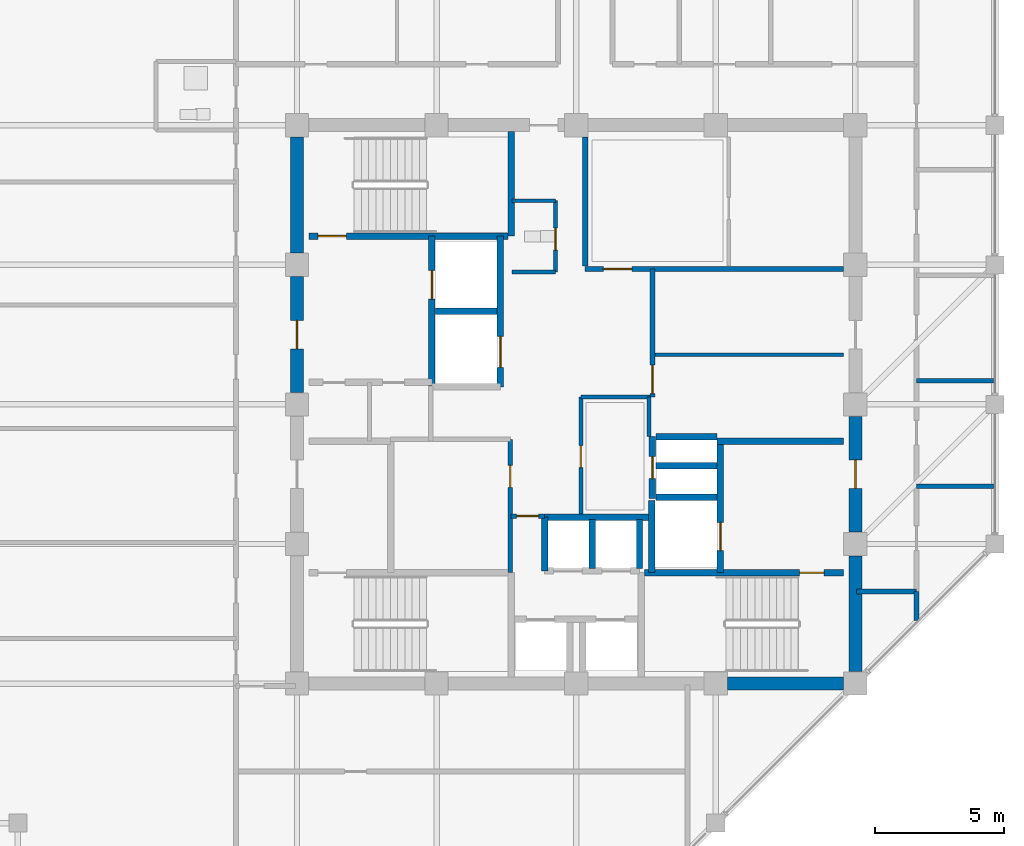
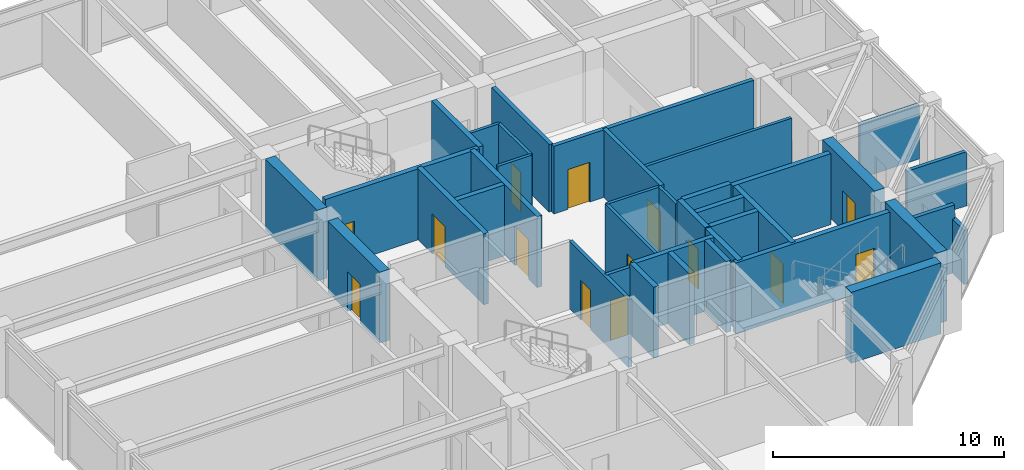
# One storey, part 27 of 31: 38 walls, 14 doors, 14 openings.
"""IFC4 building model written with IfcOpenShell, lengths in metres."""

from ifc_helpers import new_model, si_unit, direction, frame, frame_2d, origin, place, context, subcontext, project, spatial, rectangle, extrude, material, layer, layer_set, type_object, element, fill, save


model = new_model("IFC4")

# Units and contexts
model_context = context("Model", 3, precision=1e-05, world=origin(), true_north=direction((0.0, 1.0)))
body_context = subcontext(model_context, "Body", "Model", "MODEL_VIEW")
ifc_project = project(units=[si_unit("LENGTHUNIT", "METRE"), si_unit("AREAUNIT", "SQUARE_METRE"), si_unit("VOLUMEUNIT", "CUBIC_METRE"), si_unit("PLANEANGLEUNIT", "RADIAN"), si_unit("MASSUNIT", "GRAM", prefix="KILO")], contexts=[model_context])

# Site, building, storey
site_placement = place(None, origin())
site = spatial("IfcSite", under=ifc_project, at=site_placement, CompositionType="ELEMENT")
building_placement = place(site_placement, origin())
building = spatial("IfcBuilding", under=site, at=building_placement, Name="Surkhivell Harbour Commons", CompositionType="ELEMENT")
storey_placement = place(building_placement, frame((0.0, 0.0, 330.0)))
storey = spatial("IfcBuildingStorey", under=building, at=storey_placement, Name="L86", CompositionType="ELEMENT", Elevation=330.0)

# Wall
ifc_material_1 = material(Name="Concrete C50/60", Category="concrete")
ifc_layer_1 = layer(ifc_material_1, 0.5)
ifc_layer_set_1 = layer_set([ifc_layer_1], Name="Concrete C50/60")
wall_type_1 = type_object("IfcWallType", Name="WAL-CORE-500", PredefinedType="SHEAR", material=ifc_layer_set_1)
wall_1_placement = place(storey_placement, frame((10.800048828125, -10.340087890625, 0.0), z_axis=(0.0, 0.0, 1.0), x_axis=(0.0, 1.0, 0.0)))
element("IfcWall", 1, at=wall_1_placement, inside=storey, type_object=wall_type_1, Name="L86 Core Shear Wall East 1", PredefinedType="SHEAR", context=body_context, shape_type="SweptSolid", body=[
    extrude(rectangle(XDim=4.47998046875, YDim=0.5, at=frame_2d((2.239990234375, 0.0))), origin(), (0.0, 0.0, 1.0), 3.75),
])

# Wall, opening, door
wall_2_placement = place(storey_placement, frame((10.800048828125, -4.93994140625, 0.0), z_axis=(0.0, 0.0, 1.0), x_axis=(0.0, 1.0, 0.0)))
wall_2 = element("IfcWall", 2, at=wall_2_placement, inside=storey, type_object=wall_type_1, Name="L86 Core Shear Wall East 2", PredefinedType="SHEAR", context=body_context, shape_type="SweptSolid", body=[
    extrude(rectangle(XDim=4.47998046875, YDim=0.5, at=frame_2d((2.239990234375, 0.0))), origin(), (0.0, 0.0, 1.0), 3.75),
])
opening_1_placement = place(wall_2_placement, frame((1.68994140625, 0.0, 0.0)))
opening_1 = element("IfcOpeningElement", 3, at=opening_1_placement, cuts=wall_2, Name="Opening ID-1", PredefinedType="OPENING", context=body_context, shape_type="SweptSolid", body=[
    extrude(rectangle(XDim=1.10009765625, YDim=2.10009765625, at=frame_2d((0.550048828125, 1.050048828125))), frame((0.0, 0.260009765625, 0.0), z_axis=(0.0, -1.0, 0.0), x_axis=(1.0, 0.0, 0.0)), (0.0, 0.0, 1.0), 0.52001953125),
])
ifc_material_2 = material(Name="Hardwood-veneered fire-rated door leaf", Category="wood")
door_type_1 = type_object("IfcDoorType", Name="DOR-FD120-1100", OperationType="NOTDEFINED", PredefinedType="DOOR", material=ifc_material_2)
door_1_placement = place(opening_1_placement, origin())
door_1 = element("IfcDoor", 4, at=door_1_placement, inside=storey, type_object=door_type_1, Name="L86 Firefighting Lobby 2 Corridor Door", OperationType="SINGLE_SWING_RIGHT", OverallHeight=2.10009765625, OverallWidth=1.10009765625, PredefinedType="DOOR", context=body_context, shape_type="SweptSolid", body=[
    extrude(rectangle(XDim=1.10009765625, YDim=2.10009765625, at=frame_2d((0.550048828125, 1.050048828125))), frame((0.0, 0.02490234375, 0.0), z_axis=(0.0, -1.0, 0.0), x_axis=(1.0, 0.0, 0.0)), (0.0, 0.0, 1.0), 0.050048828125),
])
fill(opening_1, door_1)

wall_3_placement = place(storey_placement, frame((-10.800048828125, 0.4599609375, 0.0), z_axis=(0.0, 0.0, 1.0), x_axis=(0.0, 1.0, 0.0)))
wall_3 = element("IfcWall", 5, at=wall_3_placement, inside=storey, type_object=wall_type_1, Name="L86 Core Shear Wall West 3", PredefinedType="SHEAR", context=body_context, shape_type="SweptSolid", body=[
    extrude(rectangle(XDim=4.47998046875, YDim=0.5, at=frame_2d((2.239990234375, 0.0))), origin(), (0.0, 0.0, 1.0), 3.75),
])
opening_2_placement = place(wall_3_placement, frame((1.68994140625, 0.0, 0.0)))
opening_2 = element("IfcOpeningElement", 6, at=opening_2_placement, cuts=wall_3, Name="Opening ID-1", PredefinedType="OPENING", context=body_context, shape_type="SweptSolid", body=[
    extrude(rectangle(XDim=1.10009765625, YDim=2.10009765625, at=frame_2d((0.550048828125, 1.050048828125))), frame((0.0, 0.260009765625, 0.0), z_axis=(0.0, -1.0, 0.0), x_axis=(1.0, 0.0, 0.0)), (0.0, 0.0, 1.0), 0.52001953125),
])
door_2_placement = place(opening_2_placement, origin())
door_2 = element("IfcDoor", 7, at=door_2_placement, inside=storey, type_object=door_type_1, Name="L86 Firefighting Lobby 1 Corridor Door", OperationType="SINGLE_SWING_LEFT", OverallHeight=2.10009765625, OverallWidth=1.10009765625, PredefinedType="DOOR", context=body_context, shape_type="SweptSolid", body=[
    extrude(rectangle(XDim=1.10009765625, YDim=2.10009765625, at=frame_2d((0.550048828125, 1.050048828125))), frame((0.0, 0.02490234375, 0.0), z_axis=(0.0, -1.0, 0.0), x_axis=(1.0, 0.0, 0.0)), (0.0, 0.0, 1.0), 0.050048828125),
])
fill(opening_2, door_2)

# Walls
for number, where, z_axis, x_axis, name in (
    (8, (5.860107421875, -10.800048828125, 0.0), (0.0, 0.0, 1.0), (1.0, 0.0, 0.0), "L86 Core Shear Wall South 4"),
    (9, (-10.800048828125, 5.860107421875, 0.0), (0.0, 0.0, 1.0), (0.0, 1.0, 0.0), "L86 Core Shear Wall West 4"),
):
    element("IfcWall", number, at=place(storey_placement, frame(where, z_axis=z_axis, x_axis=x_axis)), inside=storey, type_object=wall_type_1, Name=name, PredefinedType="SHEAR", context=body_context, shape_type="SweptSolid", body=[
        extrude(rectangle(XDim=4.47998046875, YDim=0.5, at=frame_2d((2.239990234375, 0.0))), origin(), (0.0, 0.0, 1.0), 3.75),
    ])

# Wall, opening, door
ifc_material_3 = material(Name="Twin-stud acoustic fireboard partition", Category="other")
ifc_layer_2 = layer(ifc_material_3, 0.14990234375)
ifc_layer_set_2 = layer_set([ifc_layer_2], Name="Twin-stud acoustic fireboard partition")
wall_type_2 = type_object("IfcWallType", Name="WAL-INT-150", PredefinedType="PARTITIONING", material=ifc_layer_set_2)
wall_4_placement = place(storey_placement, frame((-0.800048828125, 5.1201171875, 0.0), z_axis=(0.0, 0.0, 1.0), x_axis=(0.0, 1.0, 0.0)))
wall_4 = element("IfcWall", 10, at=wall_4_placement, inside=storey, type_object=wall_type_2, Name="L86 Core Accessible WC East Wall", PredefinedType="PARTITIONING", context=body_context, shape_type="SweptSolid", body=[
    extrude(rectangle(XDim=2.759765625, YDim=0.14990234375, at=frame_2d((1.3798828125, 0.0))), origin(), (0.0, 0.0, 1.0), 3.570068359375),
])
opening_3_placement = place(wall_4_placement, frame((0.85009765625, 0.0, 0.0)))
opening_3 = element("IfcOpeningElement", 11, at=opening_3_placement, cuts=wall_4, Name="Opening ID-6", PredefinedType="OPENING", context=body_context, shape_type="SweptSolid", body=[
    extrude(rectangle(XDim=0.85009765625, YDim=2.10009765625, at=frame_2d((0.425048828125, 1.050048828125))), frame((0.0, 0.0849609375, 0.0), z_axis=(0.0, -1.0, 0.0), x_axis=(1.0, 0.0, 0.0)), (0.0, 0.0, 1.0), 0.169921875),
])
door_type_2 = type_object("IfcDoorType", Name="DOR-FD30-850", OperationType="NOTDEFINED", PredefinedType="DOOR", material=ifc_material_2)
door_3_placement = place(opening_3_placement, origin())
door_3 = element("IfcDoor", 12, at=door_3_placement, inside=storey, type_object=door_type_2, Name="L86 Floor Accessible WC Door", OperationType="SINGLE_SWING_LEFT", OverallHeight=2.10009765625, OverallWidth=0.85009765625, PredefinedType="DOOR", context=body_context, shape_type="SweptSolid", body=[
    extrude(rectangle(XDim=0.85009765625, YDim=2.10009765625, at=frame_2d((0.425048828125, 1.050048828125))), frame((0.0, 0.02490234375, 0.0), z_axis=(0.0, -1.0, 0.0), x_axis=(1.0, 0.0, 0.0)), (0.0, 0.0, 1.0), 0.050048828125),
])
fill(opening_3, door_3)

# Walls
for number, where, z_axis, x_axis, name in (
    (13, (-2.47998046875, 7.8798828125, 0.0), (0.0, 0.0, 1.0), (1.0, 0.0, 0.0), "L86 Core Accessible WC North Wall"),
    (14, (-2.47998046875, 5.1201171875, 0.0), (0.0, 0.0, 1.0), (1.0, 0.0, 0.0), "L86 Core Accessible WC South Wall"),
):
    element("IfcWall", number, at=place(storey_placement, frame(where, z_axis=z_axis, x_axis=x_axis)), inside=storey, type_object=wall_type_2, Name=name, PredefinedType="PARTITIONING", context=body_context, shape_type="SweptSolid", body=[
        extrude(rectangle(XDim=1.679931640625, YDim=0.14990234375, at=frame_2d((0.83984375, 0.0))), origin(), (0.0, 0.0, 1.0), 3.570068359375),
    ])
wall_5_placement = place(storey_placement, frame((2.820068359375, -1.25, 0.0), z_axis=(0.0, 0.0, 1.0), x_axis=(0.0, 1.0, 0.0)))
element("IfcWall", 15, at=wall_5_placement, inside=storey, type_object=wall_type_2, Name="L86 Central Music East Wall", PredefinedType="PARTITIONING", context=body_context, shape_type="SweptSolid", body=[
    extrude(rectangle(XDim=1.530029296875, YDim=0.14990234375, at=frame_2d((0.76513671875, 0.0))), origin(), (0.0, 0.0, 1.0), 3.570068359375),
])
wall_6_placement = place(storey_placement, frame((0.179931640625, 0.280029296875, 0.0), z_axis=(0.0, 0.0, 1.0), x_axis=(1.0, 0.0, 0.0)))
element("IfcWall", 16, at=wall_6_placement, inside=storey, type_object=wall_type_2, Name="L86 Central Music North Wall", PredefinedType="PARTITIONING", context=body_context, shape_type="SweptSolid", body=[
    extrude(rectangle(XDim=2.670166015625, YDim=0.14990234375, at=frame_2d((1.3349609375, 0.0))), origin(), (0.0, 0.0, 1.0), 3.570068359375),
])

# Wall, opening, door
wall_7_placement = place(storey_placement, frame((0.179931640625, -4.25, 0.0), z_axis=(0.0, 0.0, 1.0), x_axis=(0.0, 1.0, 0.0)))
wall_7 = element("IfcWall", 17, at=wall_7_placement, inside=storey, type_object=wall_type_2, Name="L86 Central Music West Wall", PredefinedType="PARTITIONING", context=body_context, shape_type="SweptSolid", body=[
    extrude(rectangle(XDim=4.530029296875, YDim=0.14990234375, at=frame_2d((2.26513671875, 0.0))), origin(), (0.0, 0.0, 1.0), 3.570068359375),
])
opening_4_placement = place(wall_7_placement, frame((1.800048828125, 0.0, 0.0)))
opening_4 = element("IfcOpeningElement", 18, at=opening_4_placement, cuts=wall_7, Name="Opening ID-6", PredefinedType="OPENING", context=body_context, shape_type="SweptSolid", body=[
    extrude(rectangle(XDim=0.85009765625, YDim=2.10009765625, at=frame_2d((0.425048828125, 1.050048828125))), frame((0.0, 0.0849609375, 0.0), z_axis=(0.0, -1.0, 0.0), x_axis=(1.0, 0.0, 0.0)), (0.0, 0.0, 1.0), 0.169921875),
])
door_4_placement = place(opening_4_placement, origin())
door_4 = element("IfcDoor", 19, at=door_4_placement, inside=storey, type_object=door_type_2, Name="L86 Central Music Door", OperationType="SINGLE_SWING_RIGHT", OverallHeight=2.10009765625, OverallWidth=0.85009765625, PredefinedType="DOOR", context=body_context, shape_type="SweptSolid", body=[
    extrude(rectangle(XDim=0.85009765625, YDim=2.10009765625, at=frame_2d((0.425048828125, 1.050048828125))), frame((0.0, 0.02490234375, 0.0), z_axis=(0.0, -1.0, 0.0), x_axis=(1.0, 0.0, 0.0)), (0.0, 0.0, 1.0), 0.050048828125),
])
fill(opening_4, door_4)

# Wall
wall_8_placement = place(storey_placement, frame((2.949951171875, 1.919921875, 0.0), z_axis=(0.0, 0.0, 1.0), x_axis=(1.0, 0.0, 0.0)))
element("IfcWall", 20, at=wall_8_placement, inside=storey, type_object=wall_type_2, Name="L86 Quiet Study Wall", PredefinedType="PARTITIONING", context=body_context, shape_type="SweptSolid", body=[
    extrude(rectangle(XDim=7.39013671875, YDim=0.14990234375, at=frame_2d((3.695068359375, 0.0))), origin(), (0.0, 0.0, 1.0), 3.570068359375),
])

# Wall, opening, door
ifc_material_4 = material(Name="High-density acoustic blockwork fire partition", Category="masonry")
ifc_layer_3 = layer(ifc_material_4, 0.175048828125)
ifc_layer_set_3 = layer_set([ifc_layer_3], Name="High-density acoustic blockwork fire partition")
wall_type_3 = type_object("IfcWallType", Name="WAL-INT-175", PredefinedType="PARTITIONING", material=ifc_layer_set_3)
wall_9_placement = place(storey_placement, frame((-2.550048828125, -6.510009765625, 0.0), z_axis=(0.0, 0.0, 1.0), x_axis=(0.0, 1.0, 0.0)))
wall_9 = element("IfcWall", 21, at=wall_9_placement, inside=storey, type_object=wall_type_3, Name="L86 Core Service Bay East Wall", PredefinedType="PARTITIONING", context=body_context, shape_type="SweptSolid", body=[
    extrude(rectangle(XDim=5.159912109375, YDim=0.175048828125, at=frame_2d((2.580078125, 0.0))), origin(), (0.0, 0.0, 1.0), 3.570068359375),
])
opening_5_placement = place(wall_9_placement, frame((3.300048828125, 0.0, 0.0)))
opening_5 = element("IfcOpeningElement", 22, at=opening_5_placement, cuts=wall_9, Name="Opening ID-6", PredefinedType="OPENING", context=body_context, shape_type="SweptSolid", body=[
    extrude(rectangle(XDim=0.85009765625, YDim=2.10009765625, at=frame_2d((0.425048828125, 1.050048828125))), frame((0.0, 0.097412109375, 0.0), z_axis=(0.0, -1.0, 0.0), x_axis=(1.0, 0.0, 0.0)), (0.0, 0.0, 1.0), 0.195068359375),
])
door_5_placement = place(opening_5_placement, origin())
door_5 = element("IfcDoor", 23, at=door_5_placement, inside=storey, type_object=door_type_2, Name="L86 Core Quiet Reading Door", OperationType="SINGLE_SWING_RIGHT", OverallHeight=2.10009765625, OverallWidth=0.85009765625, PredefinedType="DOOR", context=body_context, shape_type="SweptSolid", body=[
    extrude(rectangle(XDim=0.85009765625, YDim=2.10009765625, at=frame_2d((0.425048828125, 1.050048828125))), frame((0.0, 0.02490234375, 0.0), z_axis=(0.0, -1.0, 0.0), x_axis=(1.0, 0.0, 0.0)), (0.0, 0.0, 1.0), 0.050048828125),
])
fill(opening_5, door_5)

wall_10_placement = place(storey_placement, frame((-2.52001953125, -4.320068359375, 0.0), z_axis=(0.0, 0.0, 1.0), x_axis=(1.0, 0.0, 0.0)))
wall_10 = element("IfcWall", 24, at=wall_10_placement, inside=storey, type_object=wall_type_3, Name="L86 High-Rise Lobby North Portal Wall", PredefinedType="PARTITIONING", context=body_context, shape_type="SweptSolid", body=[
    extrude(rectangle(XDim=1.300048828125, YDim=0.175048828125, at=frame_2d((0.64990234375, 0.0))), origin(), (0.0, 0.0, 1.0), 3.570068359375),
])
opening_6_placement = place(wall_10_placement, frame((0.219970703125, 0.0, 0.0)))
opening_6 = element("IfcOpeningElement", 25, at=opening_6_placement, cuts=wall_10, Name="Opening ID-6", PredefinedType="OPENING", context=body_context, shape_type="SweptSolid", body=[
    extrude(rectangle(XDim=0.85009765625, YDim=2.10009765625, at=frame_2d((0.425048828125, 1.050048828125))), frame((0.0, 0.097412109375, 0.0), z_axis=(0.0, -1.0, 0.0), x_axis=(1.0, 0.0, 0.0)), (0.0, 0.0, 1.0), 0.195068359375),
])
door_6_placement = place(opening_6_placement, origin())
door_6 = element("IfcDoor", 26, at=door_6_placement, inside=storey, type_object=door_type_2, Name="L86 High-Rise Lift Lobby North Door", OperationType="SINGLE_SWING_LEFT", OverallHeight=2.10009765625, OverallWidth=0.85009765625, PredefinedType="DOOR", context=body_context, shape_type="SweptSolid", body=[
    extrude(rectangle(XDim=0.85009765625, YDim=2.10009765625, at=frame_2d((0.425048828125, 1.050048828125))), frame((0.0, 0.02490234375, 0.0), z_axis=(0.0, -1.0, 0.0), x_axis=(1.0, 0.0, 0.0)), (0.0, 0.0, 1.0), 0.050048828125),
])
fill(opening_6, door_6)

# Walls
for number, where, z_axis, x_axis, name in (
    (27, (13.159912109375, -3.159912109375, 0.0), (0.0, 0.0, 1.0), (1.0, 0.0, 0.0), "L86 East Partition P1"),
    (28, (13.159912109375, 0.919921875, 0.0), (0.0, 0.0, 1.0), (1.0, 0.0, 0.0), "L86 East Partition P2"),
):
    element("IfcWall", number, at=place(storey_placement, frame(where, z_axis=z_axis, x_axis=x_axis)), inside=storey, type_object=wall_type_3, Name=name, PredefinedType="PARTITIONING", context=body_context, shape_type="SweptSolid", body=[
        extrude(rectangle(XDim=2.97998046875, YDim=0.175048828125, at=frame_2d((1.489990234375, 0.0))), origin(), (0.0, 0.0, 1.0), 2.85693359375),
    ])

# Wall, opening, door
ifc_material_5 = material(Name="Autoclaved aerated concrete blockwork and fire plaster", Category="masonry")
ifc_layer_4 = layer(ifc_material_5, 0.199951171875)
ifc_layer_set_4 = layer_set([ifc_layer_4], Name="Autoclaved aerated concrete blockwork and fire plaster")
wall_type_4 = type_object("IfcWallType", Name="WAL-INT-200", PredefinedType="PARTITIONING", material=ifc_layer_set_4)
wall_11_placement = place(storey_placement, frame((0.35009765625, 5.239990234375, 0.0), z_axis=(0.0, 0.0, 1.0), x_axis=(1.0, 0.0, 0.0)))
wall_11 = element("IfcWall", 29, at=wall_11_placement, inside=storey, type_object=wall_type_4, Name="L86 Reclaimed Core North Bay South Wall", PredefinedType="PARTITIONING", context=body_context, shape_type="SweptSolid", body=[
    extrude(rectangle(XDim=9.989990234375, YDim=0.199951171875, at=frame_2d((4.9951171875, 0.0))), origin(), (0.0, 0.0, 1.0), 3.570068359375),
])
opening_7_placement = place(wall_11_placement, frame((0.699951171875, 0.0, 0.0)))
opening_7 = element("IfcOpeningElement", 30, at=opening_7_placement, cuts=wall_11, Name="Opening ID-2", PredefinedType="OPENING", context=body_context, shape_type="SweptSolid", body=[
    extrude(rectangle(XDim=1.10009765625, YDim=2.10009765625, at=frame_2d((0.550048828125, 1.050048828125))), frame((0.0, 0.10986328125, 0.0), z_axis=(0.0, -1.0, 0.0), x_axis=(1.0, 0.0, 0.0)), (0.0, 0.0, 1.0), 0.219970703125),
])
door_type_3 = type_object("IfcDoorType", Name="DOR-FD60-1100", OperationType="NOTDEFINED", PredefinedType="DOOR", material=ifc_material_2)
door_7_placement = place(opening_7_placement, origin())
door_7 = element("IfcDoor", 31, at=door_7_placement, inside=storey, type_object=door_type_3, Name="L86 Core Seminar Door", OperationType="SINGLE_SWING_LEFT", OverallHeight=2.10009765625, OverallWidth=1.10009765625, PredefinedType="DOOR", context=body_context, shape_type="SweptSolid", body=[
    extrude(rectangle(XDim=1.10009765625, YDim=2.10009765625, at=frame_2d((0.550048828125, 1.050048828125))), frame((0.0, 0.02490234375, 0.0), z_axis=(0.0, -1.0, 0.0), x_axis=(1.0, 0.0, 0.0)), (0.0, 0.0, 1.0), 0.050048828125),
])
fill(opening_7, door_7)

# Walls
wall_12_placement = place(storey_placement, frame((0.35009765625, 5.360107421875, 0.0), z_axis=(0.0, 0.0, 1.0), x_axis=(0.0, 1.0, 0.0)))
element("IfcWall", 32, at=wall_12_placement, inside=storey, type_object=wall_type_4, Name="L86 Reclaimed Core North Bay West Wall", PredefinedType="PARTITIONING", context=body_context, shape_type="SweptSolid", body=[
    extrude(rectangle(XDim=4.97998046875, YDim=0.199951171875, at=frame_2d((2.489990234375, 0.0))), origin(), (0.0, 0.0, 1.0), 3.570068359375),
])
wall_13_placement = place(storey_placement, frame((13.159912109375, -8.355224609375, 0.0), z_axis=(0.0, 0.0, 1.0), x_axis=(0.0, 1.0, 0.0)))
element("IfcWall", 33, at=wall_13_placement, inside=storey, type_object=wall_type_4, Name="L86 East Wing South Closure Wall", PredefinedType="PARTITIONING", context=body_context, shape_type="SweptSolid", body=[
    extrude(rectangle(XDim=1.115234375, YDim=0.199951171875, at=frame_2d((0.5576171875, 0.0))), origin(), (0.0, 0.0, 1.0), 2.85693359375),
])
wall_14_placement = place(storey_placement, frame((10.85009765625, -7.239990234375, 0.0), z_axis=(0.0, 0.0, 1.0), x_axis=(1.0, 0.0, 0.0)))
element("IfcWall", 34, at=wall_14_placement, inside=storey, type_object=wall_type_4, Name="L86 East Corridor South Closure Wall", PredefinedType="PARTITIONING", context=body_context, shape_type="SweptSolid", body=[
    extrude(rectangle(XDim=2.309814453125, YDim=0.199951171875, at=frame_2d((1.15478515625, 0.0))), origin(), (0.0, 0.0, 1.0), 3.570068359375),
])

# Wall, opening, door
wall_15_placement = place(storey_placement, frame((2.949951171875, 0.280029296875, 0.0), z_axis=(0.0, 0.0, 1.0), x_axis=(0.0, 1.0, 0.0)))
wall_15 = element("IfcWall", 35, at=wall_15_placement, inside=storey, type_object=wall_type_4, Name="L86 Reclaimed East Core West Wall", PredefinedType="PARTITIONING", context=body_context, shape_type="SweptSolid", body=[
    extrude(rectangle(XDim=4.9599609375, YDim=0.199951171875, at=frame_2d((2.47998046875, 0.0))), origin(), (0.0, 0.0, 1.0), 3.570068359375),
])
opening_8_placement = place(wall_15_placement, frame((0.139892578125, 0.0, 0.0)))
opening_8 = element("IfcOpeningElement", 36, at=opening_8_placement, cuts=wall_15, Name="Opening ID-2", PredefinedType="OPENING", context=body_context, shape_type="SweptSolid", body=[
    extrude(rectangle(XDim=1.10009765625, YDim=2.10009765625, at=frame_2d((0.550048828125, 1.050048828125))), frame((0.0, 0.10986328125, 0.0), z_axis=(0.0, -1.0, 0.0), x_axis=(1.0, 0.0, 0.0)), (0.0, 0.0, 1.0), 0.219970703125),
])
door_8_placement = place(opening_8_placement, origin())
door_8 = element("IfcDoor", 37, at=door_8_placement, inside=storey, type_object=door_type_3, Name="L86 Quiet Study A Door", OperationType="SINGLE_SWING_LEFT", OverallHeight=2.10009765625, OverallWidth=1.10009765625, PredefinedType="DOOR", context=body_context, shape_type="SweptSolid", body=[
    extrude(rectangle(XDim=1.10009765625, YDim=2.10009765625, at=frame_2d((0.550048828125, 1.050048828125))), frame((0.0, 0.02490234375, 0.0), z_axis=(0.0, -1.0, 0.0), x_axis=(1.0, 0.0, 0.0)), (0.0, 0.0, 1.0), 0.050048828125),
])
fill(opening_8, door_8)

ifc_layer_5 = layer(ifc_material_1, 0.25)
ifc_layer_set_5 = layer_set([ifc_layer_5], Name="Concrete C50/60")
wall_type_5 = type_object("IfcWallType", Name="WAL-SHAFT-250", PredefinedType="SHEAR", material=ifc_layer_set_5)
wall_16_placement = place(storey_placement, frame((-5.580078125, 0.719970703125, 0.0), z_axis=(0.0, 0.0, 1.0), x_axis=(0.0, 1.0, 0.0)))
wall_16 = element("IfcWall", 38, at=wall_16_placement, inside=storey, type_object=wall_type_5, Name="L86 Firefighting Lobby 1 East Shaft Wall", PredefinedType="SHEAR", context=body_context, shape_type="SweptSolid", body=[
    extrude(rectangle(XDim=5.7900390625, YDim=0.25, at=frame_2d((2.89501953125, 0.0))), origin(), (0.0, 0.0, 1.0), 3.75),
])
opening_9_placement = place(wall_16_placement, frame((3.35009765625, 0.0, 0.0)))
opening_9 = element("IfcOpeningElement", 39, at=opening_9_placement, cuts=wall_16, Name="Opening LD-1", PredefinedType="OPENING", context=body_context, shape_type="SweptSolid", body=[
    extrude(rectangle(XDim=1.10009765625, YDim=2.10009765625, at=frame_2d((0.550048828125, 1.050048828125))), frame((0.0, 0.135009765625, 0.0), z_axis=(0.0, -1.0, 0.0), x_axis=(1.0, 0.0, 0.0)), (0.0, 0.0, 1.0), 0.27001953125),
])
ifc_material_6 = material(Name="Brushed stainless steel S355", Category="steel")
door_type_4 = type_object("IfcDoorType", Name="DOR-LD-1100", OperationType="SLIDING_TO_LEFT", PredefinedType="DOOR", material=ifc_material_6)
door_9_placement = place(opening_9_placement, origin())
door_9 = element("IfcDoor", 40, at=door_9_placement, inside=storey, type_object=door_type_4, Name="L86 Lift Landing Door LD-FFL1", OperationType="SLIDING_TO_LEFT", OverallHeight=2.10009765625, OverallWidth=1.10009765625, PredefinedType="DOOR", context=body_context, shape_type="SweptSolid", body=[
    extrude(rectangle(XDim=1.10009765625, YDim=2.10009765625, at=frame_2d((0.550048828125, 1.050048828125))), frame((0.0, 0.02490234375, 0.0), z_axis=(0.0, -1.0, 0.0), x_axis=(1.0, 0.0, 0.0)), (0.0, 0.0, 1.0), 0.050048828125),
])
fill(opening_9, door_9)

# Walls
wall_17_placement = place(storey_placement, frame((2.929931640625, -6.510009765625, 0.0), z_axis=(0.0, 0.0, 1.0), x_axis=(0.0, 1.0, 0.0)))
element("IfcWall", 41, at=wall_17_placement, inside=storey, type_object=wall_type_5, Name="L86 FFL2 West Shaft Wall", PredefinedType="SHEAR", context=body_context, shape_type="SweptSolid", body=[
    extrude(rectangle(XDim=2.7900390625, YDim=0.25, at=frame_2d((1.39501953125, 0.0))), origin(), (0.0, 0.0, 1.0), 3.75),
])
wall_18_placement = place(storey_placement, frame((5.43994140625, -1.419921875, 0.0), z_axis=(0.0, 0.0, 1.0), x_axis=(1.0, 0.0, 0.0)))
element("IfcWall", 42, at=wall_18_placement, inside=storey, type_object=wall_type_5, Name="L86 Firefighting Lobby 2 North Wall", PredefinedType="SHEAR", context=body_context, shape_type="SweptSolid", body=[
    extrude(rectangle(XDim=4.900146484375, YDim=0.25, at=frame_2d((2.4501953125, 0.0))), origin(), (0.0, 0.0, 1.0), 3.75),
])
wall_19_placement = place(storey_placement, frame((3.080078125, -3.60009765625, 0.0), z_axis=(0.0, 0.0, 1.0), x_axis=(1.0, 0.0, 0.0)))
element("IfcWall", 43, at=wall_19_placement, inside=storey, type_object=wall_type_5, Name="L86 FFL2 North Shaft Wall", PredefinedType="SHEAR", context=body_context, shape_type="SweptSolid", body=[
    extrude(rectangle(XDim=2.369873046875, YDim=0.25, at=frame_2d((1.18505859375, 0.0))), origin(), (0.0, 0.0, 1.0), 3.75),
])

# Wall, opening, door
wall_20_placement = place(storey_placement, frame((5.580078125, -6.510009765625, 0.0), z_axis=(0.0, 0.0, 1.0), x_axis=(0.0, 1.0, 0.0)))
wall_20 = element("IfcWall", 44, at=wall_20_placement, inside=storey, type_object=wall_type_5, Name="L86 Firefighting Lobby 2 West Shaft Wall", PredefinedType="SHEAR", context=body_context, shape_type="SweptSolid", body=[
    extrude(rectangle(XDim=5.090087890625, YDim=0.25, at=frame_2d((2.544921875, 0.0))), origin(), (0.0, 0.0, 1.0), 3.75),
])
opening_10_placement = place(wall_20_placement, frame((0.85009765625, 0.0, 0.0)))
opening_10 = element("IfcOpeningElement", 45, at=opening_10_placement, cuts=wall_20, Name="Opening LD-1", PredefinedType="OPENING", context=body_context, shape_type="SweptSolid", body=[
    extrude(rectangle(XDim=1.10009765625, YDim=2.10009765625, at=frame_2d((0.550048828125, 1.050048828125))), frame((0.0, 0.135009765625, 0.0), z_axis=(0.0, -1.0, 0.0), x_axis=(1.0, 0.0, 0.0)), (0.0, 0.0, 1.0), 0.27001953125),
])
door_10_placement = place(opening_10_placement, origin())
door_10 = element("IfcDoor", 46, at=door_10_placement, inside=storey, type_object=door_type_4, Name="L86 Lift Landing Door LD-FFL2", OperationType="SLIDING_TO_RIGHT", OverallHeight=2.10009765625, OverallWidth=1.10009765625, PredefinedType="DOOR", context=body_context, shape_type="SweptSolid", body=[
    extrude(rectangle(XDim=1.10009765625, YDim=2.10009765625, at=frame_2d((0.550048828125, 1.050048828125))), frame((0.0, 0.02490234375, 0.0), z_axis=(0.0, -1.0, 0.0), x_axis=(1.0, 0.0, 0.0)), (0.0, 0.0, 1.0), 0.050048828125),
])
fill(opening_10, door_10)

# Walls
for number, where, z_axis, x_axis, name in (
    (47, (0.6201171875, -6.340087890625, 0.0), (0.0, 0.0, 1.0), (0.0, 1.0, 0.0), "L86 High-Rise Side Wall N"),
    (48, (2.449951171875, -6.340087890625, 0.0), (0.0, 0.0, 1.0), (0.0, 1.0, 0.0), "L86 High-Rise Side Wall N"),
):
    element("IfcWall", number, at=place(storey_placement, frame(where, z_axis=z_axis, x_axis=x_axis)), inside=storey, type_object=wall_type_5, Name=name, PredefinedType="SHEAR", context=body_context, shape_type="SweptSolid", body=[
        extrude(rectangle(XDim=1.880126953125, YDim=0.25, at=frame_2d((0.93994140625, 0.0))), origin(), (0.0, 0.0, 1.0), 3.75),
    ])
wall_21_placement = place(storey_placement, frame((-1.219970703125, -6.43994140625, 0.0), z_axis=(0.0, 0.0, 1.0), x_axis=(0.0, 1.0, 0.0)))
element("IfcWall", 49, at=wall_21_placement, inside=storey, type_object=wall_type_5, Name="L86 High-Rise Passage East Shaft Wall", PredefinedType="SHEAR", context=body_context, shape_type="SweptSolid", body=[
    extrude(rectangle(XDim=2.079833984375, YDim=0.25, at=frame_2d((1.0400390625, 0.0))), origin(), (0.0, 0.0, 1.0), 3.75),
])
wall_22_placement = place(storey_placement, frame((-1.219970703125, -4.360107421875, 0.0), z_axis=(0.0, 0.0, 1.0), x_axis=(1.0, 0.0, 0.0)))
element("IfcWall", 50, at=wall_22_placement, inside=storey, type_object=wall_type_5, Name="L86 High-Rise North Back Shaft Wall", PredefinedType="SHEAR", context=body_context, shape_type="SweptSolid", body=[
    extrude(rectangle(XDim=4.030029296875, YDim=0.25, at=frame_2d((2.01513671875, 0.0))), origin(), (0.0, 0.0, 1.0), 3.75),
])
for number, where, z_axis, x_axis, name in (
    (51, (3.080078125, -2.3798828125, 0.0), (0.0, 0.0, 1.0), (1.0, 0.0, 0.0), "L86 Riser Divider Wall"),
    (52, (3.080078125, -1.25, 0.0), (0.0, 0.0, 1.0), (1.0, 0.0, 0.0), "L86 Riser North Wall"),
):
    element("IfcWall", number, at=place(storey_placement, frame(where, z_axis=z_axis, x_axis=x_axis)), inside=storey, type_object=wall_type_5, Name=name, PredefinedType="SHEAR", context=body_context, shape_type="SweptSolid", body=[
        extrude(rectangle(XDim=2.369873046875, YDim=0.25, at=frame_2d((1.18505859375, 0.0))), origin(), (0.0, 0.0, 1.0), 3.75),
    ])

# Wall, opening, door
wall_23_placement = place(storey_placement, frame((2.949951171875, -3.64990234375, 0.0), z_axis=(0.0, 0.0, 1.0), x_axis=(0.0, 1.0, 0.0)))
wall_23 = element("IfcWall", 53, at=wall_23_placement, inside=storey, type_object=wall_type_5, Name="L86 Riser Shaft West Wall", PredefinedType="SHEAR", context=body_context, shape_type="SweptSolid", body=[
    extrude(rectangle(XDim=2.39990234375, YDim=0.25, at=frame_2d((1.199951171875, 0.0))), origin(), (0.0, 0.0, 1.0), 3.75),
])
opening_11_placement = place(wall_23_placement, frame((0.77490234375, 0.0, 0.0)))
opening_11 = element("IfcOpeningElement", 54, at=opening_11_placement, cuts=wall_23, Name="Opening ID-6", PredefinedType="OPENING", context=body_context, shape_type="SweptSolid", body=[
    extrude(rectangle(XDim=0.85009765625, YDim=2.10009765625, at=frame_2d((0.425048828125, 1.050048828125))), frame((0.0, 0.135009765625, 0.0), z_axis=(0.0, -1.0, 0.0), x_axis=(1.0, 0.0, 0.0)), (0.0, 0.0, 1.0), 0.27001953125),
])
door_11_placement = place(opening_11_placement, origin())
door_11 = element("IfcDoor", 55, at=door_11_placement, inside=storey, type_object=door_type_2, Name="L86 Electrical Riser Access Door", OperationType="SINGLE_SWING_LEFT", OverallHeight=2.10009765625, OverallWidth=0.85009765625, PredefinedType="DOOR", context=body_context, shape_type="SweptSolid", body=[
    extrude(rectangle(XDim=0.85009765625, YDim=2.10009765625, at=frame_2d((0.425048828125, 1.050048828125))), frame((0.0, 0.02490234375, 0.0), z_axis=(0.0, -1.0, 0.0), x_axis=(1.0, 0.0, 0.0)), (0.0, 0.0, 1.0), 0.050048828125),
])
fill(opening_11, door_11)

# Wall
wall_24_placement = place(storey_placement, frame((-2.510009765625, 6.510009765625, 0.0), z_axis=(0.0, 0.0, 1.0), x_axis=(0.0, 1.0, 0.0)))
element("IfcWall", 56, at=wall_24_placement, inside=storey, type_object=wall_type_5, Name="L86 Stair ST1 East Shear Wall", PredefinedType="SHEAR", context=body_context, shape_type="SweptSolid", body=[
    extrude(rectangle(XDim=4.0400390625, YDim=0.25, at=frame_2d((2.02001953125, 0.0))), origin(), (0.0, 0.0, 1.0), 3.75),
])

# Wall, opening, door
wall_25_placement = place(storey_placement, frame((-10.340087890625, 6.510009765625, 0.0), z_axis=(0.0, 0.0, 1.0), x_axis=(1.0, 0.0, 0.0)))
wall_25 = element("IfcWall", 57, at=wall_25_placement, inside=storey, type_object=wall_type_5, Name="L86 Stair ST1 South Shear Wall", PredefinedType="SHEAR", context=body_context, shape_type="SweptSolid", body=[
    extrude(rectangle(XDim=7.7001953125, YDim=0.25, at=frame_2d((3.85009765625, 0.0))), origin(), (0.0, 0.0, 1.0), 3.75),
])
opening_12_placement = place(wall_25_placement, frame((0.35009765625, 0.0, 0.0)))
opening_12 = element("IfcOpeningElement", 58, at=opening_12_placement, cuts=wall_25, Name="Opening ID-2", PredefinedType="OPENING", context=body_context, shape_type="SweptSolid", body=[
    extrude(rectangle(XDim=1.10009765625, YDim=2.10009765625, at=frame_2d((0.550048828125, 1.050048828125))), frame((0.0, 0.135009765625, 0.0), z_axis=(0.0, -1.0, 0.0), x_axis=(1.0, 0.0, 0.0)), (0.0, 0.0, 1.0), 0.27001953125),
])
door_12_placement = place(opening_12_placement, origin())
door_12 = element("IfcDoor", 59, at=door_12_placement, inside=storey, type_object=door_type_3, Name="L86 Stair ST1 Exit Door", OperationType="SINGLE_SWING_LEFT", OverallHeight=2.10009765625, OverallWidth=1.10009765625, PredefinedType="DOOR", context=body_context, shape_type="SweptSolid", body=[
    extrude(rectangle(XDim=1.10009765625, YDim=2.10009765625, at=frame_2d((0.550048828125, 1.050048828125))), frame((0.0, 0.02490234375, 0.0), z_axis=(0.0, -1.0, 0.0), x_axis=(1.0, 0.0, 0.0)), (0.0, 0.0, 1.0), 0.050048828125),
])
fill(opening_12, door_12)

wall_26_placement = place(storey_placement, frame((2.639892578125, -6.510009765625, 0.0), z_axis=(0.0, 0.0, 1.0), x_axis=(1.0, 0.0, 0.0)))
wall_26 = element("IfcWall", 60, at=wall_26_placement, inside=storey, type_object=wall_type_5, Name="L86 Stair ST2 North Shear Wall", PredefinedType="SHEAR", context=body_context, shape_type="SweptSolid", body=[
    extrude(rectangle(XDim=7.7001953125, YDim=0.25, at=frame_2d((3.85009765625, 0.0))), origin(), (0.0, 0.0, 1.0), 3.75),
])
opening_13_placement = place(wall_26_placement, frame((6.0, 0.0, 0.0)))
opening_13 = element("IfcOpeningElement", 61, at=opening_13_placement, cuts=wall_26, Name="Opening ID-4", PredefinedType="OPENING", context=body_context, shape_type="SweptSolid", body=[
    extrude(rectangle(XDim=0.949951171875, YDim=2.10009765625, at=frame_2d((0.47509765625, 1.050048828125))), frame((0.0, 0.135009765625, 0.0), z_axis=(0.0, -1.0, 0.0), x_axis=(1.0, 0.0, 0.0)), (0.0, 0.0, 1.0), 0.27001953125),
])
door_type_5 = type_object("IfcDoorType", Name="DOR-FD60-950", OperationType="NOTDEFINED", PredefinedType="DOOR", material=ifc_material_2)
door_13_placement = place(opening_13_placement, origin())
door_13 = element("IfcDoor", 62, at=door_13_placement, inside=storey, type_object=door_type_5, Name="L86 Stair ST2 Exit Door", OperationType="SINGLE_SWING_RIGHT", OverallHeight=2.10009765625, OverallWidth=0.949951171875, PredefinedType="DOOR", context=body_context, shape_type="SweptSolid", body=[
    extrude(rectangle(XDim=0.949951171875, YDim=2.10009765625, at=frame_2d((0.47509765625, 1.050048828125))), frame((0.0, 0.02490234375, 0.0), z_axis=(0.0, -1.0, 0.0), x_axis=(1.0, 0.0, 0.0)), (0.0, 0.0, 1.0), 0.050048828125),
])
fill(opening_13, door_13)

wall_27_placement = place(storey_placement, frame((-2.929931640625, 0.679931640625, 0.0), z_axis=(0.0, 0.0, 1.0), x_axis=(0.0, 1.0, 0.0)))
wall_27 = element("IfcWall", 63, at=wall_27_placement, inside=storey, type_object=wall_type_5, Name="L86 Service and Fire Lift East Shaft Wall", PredefinedType="SHEAR", context=body_context, shape_type="SweptSolid", body=[
    extrude(rectangle(XDim=5.830078125, YDim=0.25, at=frame_2d((2.9150390625, 0.0))), origin(), (0.0, 0.0, 1.0), 3.75),
])
opening_14_placement = place(wall_27_placement, frame((0.75, 0.0, 0.0)))
opening_14 = element("IfcOpeningElement", 64, at=opening_14_placement, cuts=wall_27, Name="Opening LD-2", PredefinedType="OPENING", context=body_context, shape_type="SweptSolid", body=[
    extrude(rectangle(XDim=1.199951171875, YDim=2.10009765625, at=frame_2d((0.60009765625, 1.050048828125))), frame((0.0, 0.135009765625, 0.0), z_axis=(0.0, -1.0, 0.0), x_axis=(1.0, 0.0, 0.0)), (0.0, 0.0, 1.0), 0.27001953125),
])
door_type_6 = type_object("IfcDoorType", Name="DOR-LD-1200", OperationType="SLIDING_TO_LEFT", PredefinedType="DOOR", material=ifc_material_6)
door_14_placement = place(opening_14_placement, origin())
door_14 = element("IfcDoor", 65, at=door_14_placement, inside=storey, type_object=door_type_6, Name="L86 Lift Landing Door LD-SVL1", OperationType="SLIDING_TO_LEFT", OverallHeight=2.10009765625, OverallWidth=1.199951171875, PredefinedType="DOOR", context=body_context, shape_type="SweptSolid", body=[
    extrude(rectangle(XDim=1.199951171875, YDim=2.10009765625, at=frame_2d((0.60009765625, 1.050048828125))), frame((0.0, 0.02490234375, 0.0), z_axis=(0.0, -1.0, 0.0), x_axis=(1.0, 0.0, 0.0)), (0.0, 0.0, 1.0), 0.050048828125),
])
fill(opening_14, door_14)

# Wall
wall_28_placement = place(storey_placement, frame((-5.449951171875, 3.60009765625, 0.0), z_axis=(0.0, 0.0, 1.0), x_axis=(1.0, 0.0, 0.0)))
element("IfcWall", 66, at=wall_28_placement, inside=storey, type_object=wall_type_5, Name="L86 FFL1/SVL1 Shaft Divider", PredefinedType="SHEAR", context=body_context, shape_type="SweptSolid", body=[
    extrude(rectangle(XDim=2.389892578125, YDim=0.25, at=frame_2d((1.19482421875, 0.0))), origin(), (0.0, 0.0, 1.0), 3.75),
])

save(model, "model.ifc")
